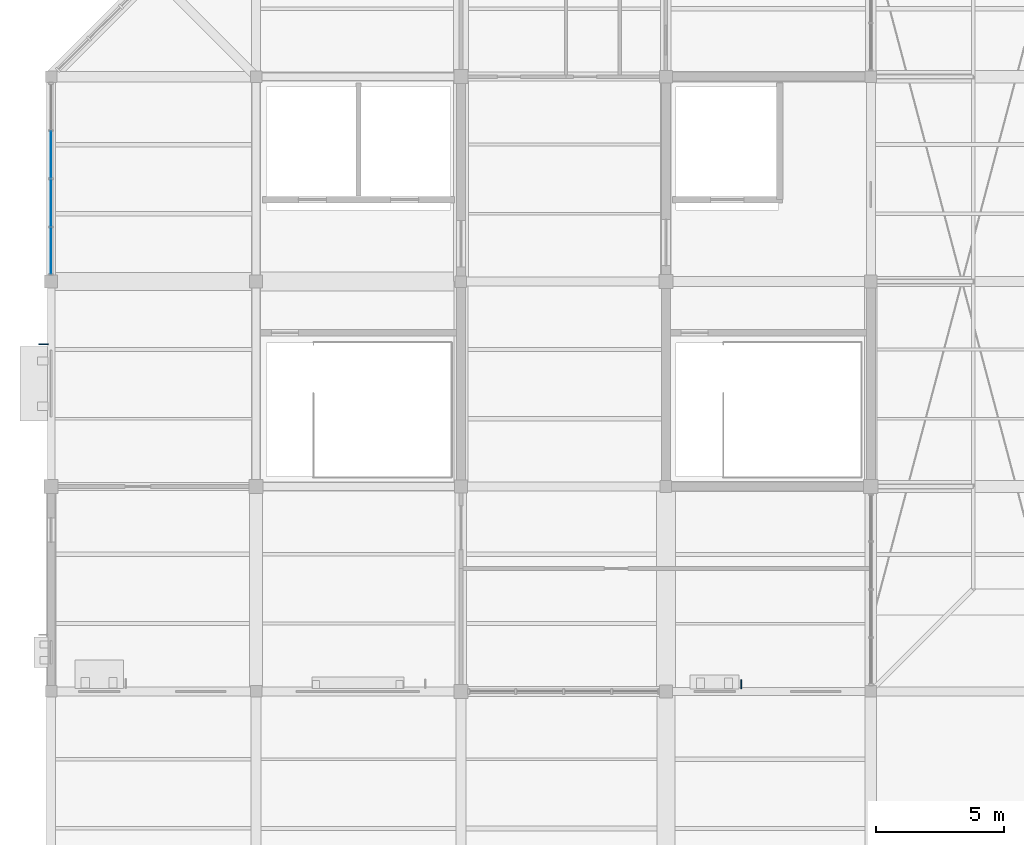
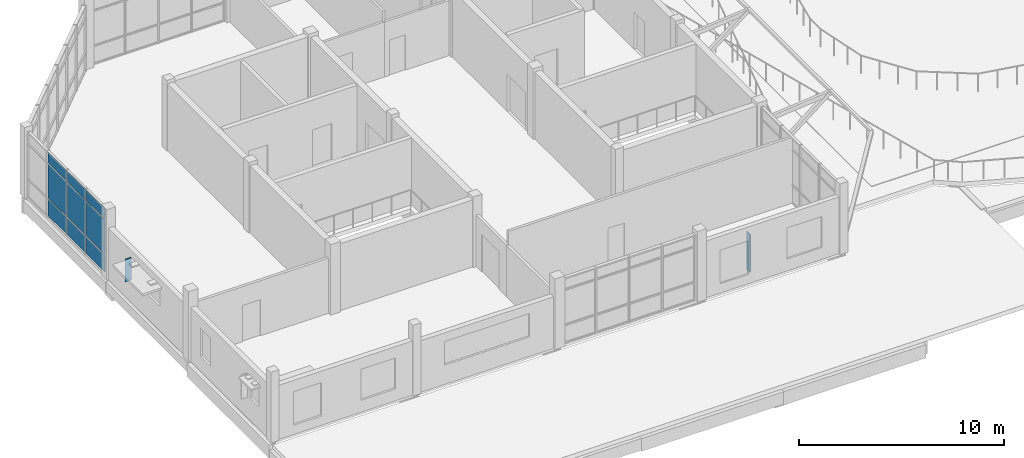
# One storey, part 35 of 44: 11 plates, 1 element without a shape of its own.
"""IFC4 building model written with IfcOpenShell, lengths in metres."""

from ifc_helpers import new_model, si_unit, direction, frame, origin, origin_2d, place, context, subcontext, project, spatial, rectangle, extrude, material, layer, layer_set, type_object, element, aggregate, save


model = new_model("IFC4")

# Units and contexts
model_context = context("Model", 3, precision=1e-05, world=origin(), true_north=direction((0.0, 1.0)))
body_context = subcontext(model_context, "Body", "Model", "MODEL_VIEW")
ifc_project = project(units=[si_unit("LENGTHUNIT", "METRE"), si_unit("AREAUNIT", "SQUARE_METRE"), si_unit("VOLUMEUNIT", "CUBIC_METRE"), si_unit("PLANEANGLEUNIT", "RADIAN"), si_unit("MASSUNIT", "GRAM", prefix="KILO")], contexts=[model_context])

# Site, building, storey
site_placement = place(None, origin())
site = spatial("IfcSite", under=ifc_project, at=site_placement, CompositionType="ELEMENT")
building_placement = place(site_placement, origin())
building = spatial("IfcBuilding", under=site, at=building_placement, Name="Tenunan Teduh Sports Hall", CompositionType="ELEMENT")
storey_placement = place(building_placement, frame((0.0, 0.0, 19.199951171875)))
storey = spatial("IfcBuildingStorey", under=building, at=storey_placement, Name="L04", CompositionType="ELEMENT", Elevation=19.199951171875)

# Curtain wall, plates
ifc_material_1 = material(Name="Anodised aluminium", Category="aluminium")
curtain_wall_type = type_object("IfcCurtainWallType", Name="CW-UNIT-2", PredefinedType="NOTDEFINED", material=ifc_material_1)
curtain_wall_placement = place(storey_placement, origin())
curtain_wall = element("IfcCurtainWall", 1, at=curtain_wall_placement, inside=storey, type_object=curtain_wall_type, Name="CW-CWM-175-L04-234", PredefinedType="NOTDEFINED")
ifc_material_2 = material(Name="Low-E laminated double glazing", Category="glass")
ifc_layer_1 = layer(ifc_material_2, 0.028076171875)
ifc_layer_set_1 = layer_set([ifc_layer_1], Name="Low-E laminated double glazing")
plate_type_1 = type_object("IfcPlateType", Name="CWP-GLZ-28", PredefinedType="CURTAIN_PANEL", material=ifc_layer_set_1)
plate_1_placement = place(storey_placement, frame((6.0, 103.206787109375, 1.1328125), z_axis=(0.0, 0.0, 1.0), x_axis=(0.0, 1.0, 0.0)))
plate_1 = element("IfcPlate", 2, at=plate_1_placement, type_object=plate_type_1, Name="CW-02 panel 1.2", PredefinedType="CURTAIN_PANEL", context=body_context, shape_type="SweptSolid", body=[
    extrude(rectangle(XDim=1.78369140625, YDim=0.028076171875, at=origin_2d()), origin(), (0.0, 0.0, 1.0), 2.034912109375),
])
plate_2_placement = place(storey_placement, frame((6.0, 103.206787109375, 3.232421875), z_axis=(0.0, 0.0, 1.0), x_axis=(0.0, 1.0, 0.0)))
plate_2 = element("IfcPlate", 3, at=plate_2_placement, type_object=plate_type_1, Name="CW-02 panel 1.3", PredefinedType="CURTAIN_PANEL", context=body_context, shape_type="SweptSolid", body=[
    extrude(rectangle(XDim=1.78369140625, YDim=0.028076171875, at=origin_2d()), origin(), (0.0, 0.0, 1.0), 0.62255859375),
])
plate_3_placement = place(storey_placement, frame((6.0, 105.07177734375, 1.1328125), z_axis=(0.0, 0.0, 1.0), x_axis=(0.0, 1.0, 0.0)))
plate_3 = element("IfcPlate", 4, at=plate_3_placement, type_object=plate_type_1, Name="CW-02 panel 2.2", PredefinedType="CURTAIN_PANEL", context=body_context, shape_type="SweptSolid", body=[
    extrude(rectangle(XDim=1.816162109375, YDim=0.028076171875, at=origin_2d()), origin(), (0.0, 0.0, 1.0), 2.034912109375),
])
plate_4_placement = place(storey_placement, frame((6.0, 105.07177734375, 3.232421875), z_axis=(0.0, 0.0, 1.0), x_axis=(0.0, 1.0, 0.0)))
plate_4 = element("IfcPlate", 5, at=plate_4_placement, type_object=plate_type_1, Name="CW-02 panel 2.3", PredefinedType="CURTAIN_PANEL", context=body_context, shape_type="SweptSolid", body=[
    extrude(rectangle(XDim=1.816162109375, YDim=0.028076171875, at=origin_2d()), origin(), (0.0, 0.0, 1.0), 0.62255859375),
])
plate_5_placement = place(storey_placement, frame((6.0, 106.953125, 1.1328125), z_axis=(0.0, 0.0, 1.0), x_axis=(0.0, 1.0, 0.0)))
plate_5 = element("IfcPlate", 6, at=plate_5_placement, type_object=plate_type_1, Name="CW-02 panel 3.2", PredefinedType="CURTAIN_PANEL", context=body_context, shape_type="SweptSolid", body=[
    extrude(rectangle(XDim=1.816162109375, YDim=0.028076171875, at=origin_2d()), origin(), (0.0, 0.0, 1.0), 2.034912109375),
])
plate_6_placement = place(storey_placement, frame((6.0, 106.953125, 3.232421875), z_axis=(0.0, 0.0, 1.0), x_axis=(0.0, 1.0, 0.0)))
plate_6 = element("IfcPlate", 7, at=plate_6_placement, type_object=plate_type_1, Name="CW-02 panel 3.3", PredefinedType="CURTAIN_PANEL", context=body_context, shape_type="SweptSolid", body=[
    extrude(rectangle(XDim=1.816162109375, YDim=0.028076171875, at=origin_2d()), origin(), (0.0, 0.0, 1.0), 0.62255859375),
])
ifc_material_3 = material(Name="Insulated aluminium spandrel panel", Category="aluminium")
ifc_layer_2 = layer(ifc_material_3, 0.044921875)
ifc_layer_set_2 = layer_set([ifc_layer_2], Name="Insulated aluminium spandrel panel")
plate_type_2 = type_object("IfcPlateType", Name="CWP-SPN-45", PredefinedType="CURTAIN_PANEL", material=ifc_layer_set_2)
plate_7_placement = place(storey_placement, frame((6.0, 103.206787109375, 0.065185546875), z_axis=(0.0, 0.0, 1.0), x_axis=(0.0, 1.0, 0.0)))
plate_7 = element("IfcPlate", 8, at=plate_7_placement, type_object=plate_type_2, Name="CW-02 panel 1.1", PredefinedType="CURTAIN_PANEL", context=body_context, shape_type="SweptSolid", body=[
    extrude(rectangle(XDim=1.78369140625, YDim=0.028076171875, at=origin_2d()), origin(), (0.0, 0.0, 1.0), 1.00244140625),
])
plate_8_placement = place(storey_placement, frame((6.0, 105.07177734375, 0.065185546875), z_axis=(0.0, 0.0, 1.0), x_axis=(0.0, 1.0, 0.0)))
plate_8 = element("IfcPlate", 9, at=plate_8_placement, type_object=plate_type_2, Name="CW-02 panel 2.1", PredefinedType="CURTAIN_PANEL", context=body_context, shape_type="SweptSolid", body=[
    extrude(rectangle(XDim=1.816162109375, YDim=0.028076171875, at=origin_2d()), origin(), (0.0, 0.0, 1.0), 1.00244140625),
])
plate_9_placement = place(storey_placement, frame((6.0, 106.953125, 0.065185546875), z_axis=(0.0, 0.0, 1.0), x_axis=(0.0, 1.0, 0.0)))
plate_9 = element("IfcPlate", 10, at=plate_9_placement, type_object=plate_type_2, Name="CW-02 panel 3.1", PredefinedType="CURTAIN_PANEL", context=body_context, shape_type="SweptSolid", body=[
    extrude(rectangle(XDim=1.816162109375, YDim=0.028076171875, at=origin_2d()), origin(), (0.0, 0.0, 1.0), 1.00244140625),
])
aggregate(curtain_wall, [plate_7, plate_1, plate_2, plate_8, plate_3, plate_4, plate_9, plate_5, plate_6])

# Plates
ifc_material_4 = material(Name="Anodised aluminium", Category="aluminium")
ifc_layer_3 = layer(ifc_material_4, 1.89990234375)
ifc_layer_set_3 = layer_set([ifc_layer_3], Name="Anodised aluminium")
plate_type_3 = type_object("IfcPlateType", Name="PLT-FIN-1", PredefinedType="SHEET", material=ifc_layer_set_3)
plate_10_placement = place(storey_placement, frame((32.93994140625, 86.284912109375, 0.43017578125), z_axis=(0.0, 0.0, 1.0), x_axis=(1.0, 0.0, 0.0)))
element("IfcPlate", 11, at=plate_10_placement, inside=storey, type_object=plate_type_3, Name="PLT-FIN-L04-067", PredefinedType="SHEET", context=body_context, shape_type="SweptSolid", body=[
    extrude(rectangle(XDim=0.0400390625, YDim=0.360107421875, at=origin_2d()), origin(), (0.0, 0.0, 1.0), 2.239990234375),
])
plate_11_placement = place(storey_placement, frame((5.699951171875, 99.554931640625, 1.330078125), z_axis=(0.0, 0.0, 1.0), x_axis=(0.0, 1.0, 0.0)))
element("IfcPlate", 12, at=plate_11_placement, inside=storey, type_object=plate_type_3, Name="PLT-FIN-L04-071", PredefinedType="SHEET", context=body_context, shape_type="SweptSolid", body=[
    extrude(rectangle(XDim=0.0400390625, YDim=0.360107421875, at=origin_2d()), origin(), (0.0, 0.0, 1.0), 1.340087890625),
])

save(model, "model.ifc")
